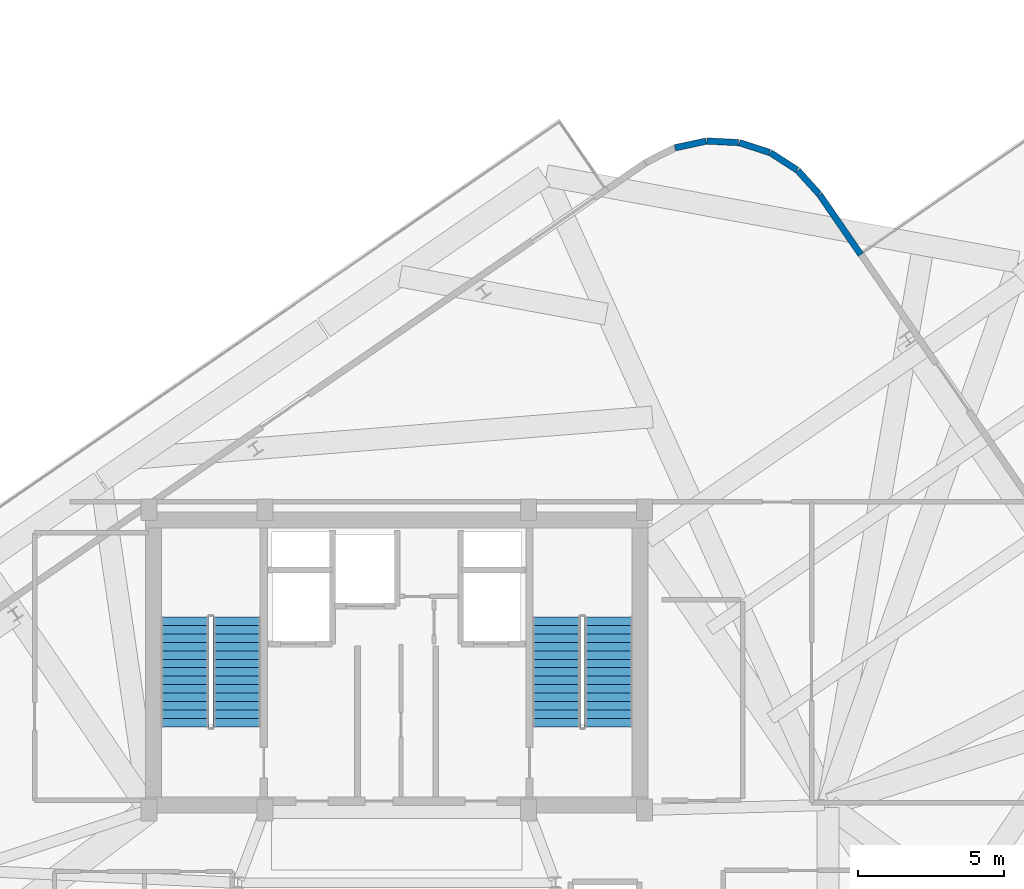
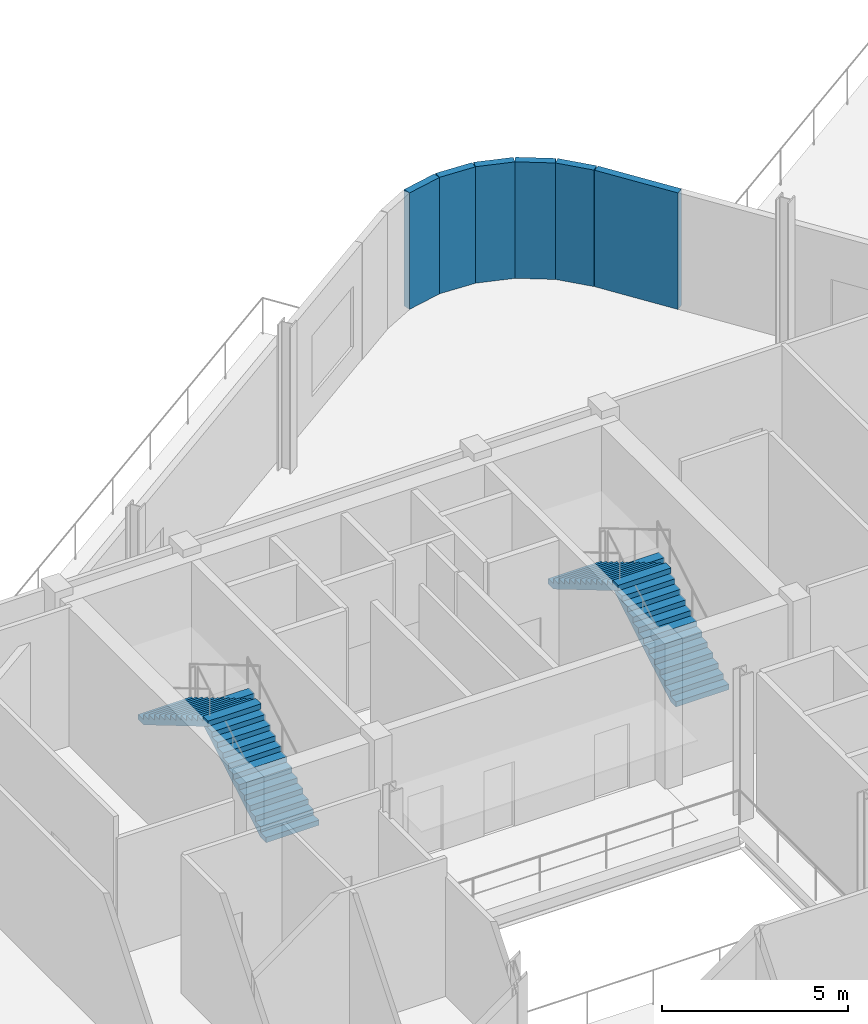
# One storey, part 13 of 18: 6 walls, 4 stair flights, 2 elements without a shape of their own.
"""IFC4 building model written with IfcOpenShell, lengths in metres."""

from ifc_helpers import new_model, si_unit, direction, frame, frame_2d, origin, place, context, subcontext, project, spatial, polyline, rectangle, outline, extrude, material, layer, layer_set, type_object, element, aggregate, save


model = new_model("IFC4")

# Units and contexts
model_context = context("Model", 3, precision=1e-05, world=origin(), true_north=direction((0.0, 1.0)))
body_context = subcontext(model_context, "Body", "Model", "MODEL_VIEW")
ifc_project = project(units=[si_unit("LENGTHUNIT", "METRE"), si_unit("AREAUNIT", "SQUARE_METRE"), si_unit("VOLUMEUNIT", "CUBIC_METRE"), si_unit("PLANEANGLEUNIT", "RADIAN"), si_unit("MASSUNIT", "GRAM", prefix="KILO")], contexts=[model_context])

# Site, building, storey
site_placement = place(None, origin())
site = spatial("IfcSite", under=ifc_project, at=site_placement, CompositionType="ELEMENT")
building_placement = place(site_placement, origin())
building = spatial("IfcBuilding", under=site, at=building_placement, Name="Varnelok Gate Tower", CompositionType="ELEMENT")
storey_placement = place(building_placement, frame((0.0, 0.0, 296.300048828125)))
storey = spatial("IfcBuildingStorey", under=building, at=storey_placement, Name="L76", CompositionType="ELEMENT", Elevation=296.300048828125)

# Walls
ifc_material_1 = material(Name="Concrete C45/55", Category="concrete")
ifc_layer = layer(ifc_material_1, 0.219970703125)
ifc_layer_set = layer_set([ifc_layer], Name="Concrete C45/55")
wall_type = type_object("IfcWallType", Name="EW-BALC-220", PredefinedType="SOLIDWALL", material=ifc_layer_set)
wall_1_placement = place(storey_placement, frame((55.123779296875, 47.804443359375, 0.0), z_axis=(0.0, 0.0, 1.0), x_axis=(-0.567206317648, 0.823575736177, 0.0)))
element("IfcWall", 1, at=wall_1_placement, inside=storey, type_object=wall_type, Name="L76 Perimeter Facade Closure Wall 16", PredefinedType="SOLIDWALL", context=body_context, shape_type="SweptSolid", body=[
    extrude(rectangle(XDim=2.4921875, YDim=0.219970703125, at=frame_2d((1.24609375, 0.0))), origin(), (0.0, 0.0, 1.0), 3.829833984375),
])
wall_2_placement = place(storey_placement, frame((53.693603515625, 49.87548828125, 0.0), z_axis=(0.0, 0.0, 1.0), x_axis=(-0.669883955163, 0.742465815116, 0.0)))
element("IfcWall", 2, at=wall_2_placement, inside=storey, type_object=wall_type, Name="L76 Perimeter Facade Closure Wall 17", PredefinedType="SOLIDWALL", context=body_context, shape_type="SweptSolid", body=[
    extrude(rectangle(XDim=1.099853515625, YDim=0.219970703125, at=frame_2d((0.5498046875, 0.0))), origin(), (0.0, 0.0, 1.0), 3.829833984375),
])
for number, where, z_axis, x_axis, name in (
    (3, (52.935791015625, 50.705810546875, 0.0), (0.0, 0.0, 1.0), (-0.839270122405, 0.543714687717, 0.0), "L76 Perimeter Facade Closure Wall 18"),
    (4, (51.995361328125, 51.30712890625, 0.0), (0.0, 0.0, 1.0), (-0.951353957903, 0.308100059692, 0.0), "L76 Perimeter Facade Closure Wall 19"),
    (5, (50.931396484375, 51.64501953125, 0.0), (0.0, 0.0, 1.0), (-0.998699949438, 0.050974611254, 0.0), "L76 Perimeter Facade Closure Wall 20"),
    (6, (49.81640625, 51.695556640625, 0.0), (0.0, 0.0, 1.0), (-0.977906989468, -0.209040474429, 0.0), "L76 Perimeter Facade Closure Wall 21"),
):
    element("IfcWall", number, at=place(storey_placement, frame(where, z_axis=z_axis, x_axis=x_axis)), inside=storey, type_object=wall_type, Name=name, PredefinedType="SOLIDWALL", context=body_context, shape_type="SweptSolid", body=[
        extrude(rectangle(XDim=1.092041015625, YDim=0.219970703125, at=frame_2d((0.5458984375, 0.0))), origin(), (0.0, 0.0, 1.0), 3.829833984375),
    ])

# Stair, stair flights
ifc_material_2 = material(Name="Concrete C50/60", Category="concrete")
stair_type = type_object("IfcStairType", Name="STR-CORE-1650", PredefinedType="HALF_TURN_STAIR", material=ifc_material_2)
stair_1_placement = place(storey_placement, origin())
stair_1 = element("IfcStair", 7, at=stair_1_placement, inside=storey, type_object=stair_type, Name="L76 Exit Stair ST-1", PredefinedType="HALF_TURN_STAIR")
stair_flight_type = type_object("IfcStairFlightType", Name="SFL-CORE-1650", PredefinedType="STRAIGHT", material=ifc_material_2)
stair_flight_1_placement = place(storey_placement, frame((33.72509765625, 31.60009765625, 0.0), z_axis=(0.0, 0.0, 1.0), x_axis=(0.0, 1.0, 0.0)))
stair_flight_1 = element("IfcStairFlight", 8, at=stair_flight_1_placement, type_object=stair_flight_type, Name="ST-1 flight 1", NumberOfRisers=14, NumberOfTreads=13, PredefinedType="STRAIGHT", RiserHeight=0.171428571, TreadLength=0.29, context=body_context, shape_type="SweptSolid", body=[
    extrude(outline(polyline([(0.0, 0.0), (0.0, 0.17138671875), (0.2900390625, 0.17138671875), (0.2900390625, 0.3427734375), (0.580078125, 0.3427734375), (0.580078125, 0.514404296875), (0.8701171875, 0.514404296875), (0.8701171875, 0.685791015625), (1.159912109375, 0.685791015625), (1.159912109375, 0.857177734375), (1.449951171875, 0.857177734375), (1.449951171875, 1.028564453125), (1.739990234375, 1.028564453125), (1.739990234375, 1.199951171875), (2.030029296875, 1.199951171875), (2.030029296875, 1.371337890625), (2.320068359375, 1.371337890625), (2.320068359375, 1.54296875), (2.610107421875, 1.54296875), (2.610107421875, 1.71435546875), (2.89990234375, 1.71435546875), (2.89990234375, 1.8857421875), (3.18994140625, 1.8857421875), (3.18994140625, 2.05712890625), (3.47998046875, 2.05712890625), (3.47998046875, 2.228515625), (3.77001953125, 2.228515625), (3.77001953125, 2.39990234375), (3.77001953125, 2.054443359375), (0.294677734375, 0.0), (0.0, 0.0)])), frame((0.0, 0.824951171875, 0.0), z_axis=(0.0, -1.0, 0.0), x_axis=(1.0, 0.0, 0.0)), (0.0, 0.0, 1.0), 1.64990234375),
])
stair_flight_2_placement = place(storey_placement, frame((31.925048828125, 35.3701171875, 2.39990234375), z_axis=(0.0, 0.0, 1.0), x_axis=(0.0, -1.0, 0.0)))
stair_flight_2 = element("IfcStairFlight", 9, at=stair_flight_2_placement, type_object=stair_flight_type, Name="ST-1 flight 2", NumberOfRisers=14, NumberOfTreads=13, PredefinedType="STRAIGHT", RiserHeight=0.171428571, TreadLength=0.29, context=body_context, shape_type="SweptSolid", body=[
    extrude(outline(polyline([(0.0, 0.0), (0.0, 0.17138671875), (0.2900390625, 0.17138671875), (0.2900390625, 0.3427734375), (0.580078125, 0.3427734375), (0.580078125, 0.514404296875), (0.8701171875, 0.514404296875), (0.8701171875, 0.685791015625), (1.159912109375, 0.685791015625), (1.159912109375, 0.857177734375), (1.449951171875, 0.857177734375), (1.449951171875, 1.028564453125), (1.739990234375, 1.028564453125), (1.739990234375, 1.199951171875), (2.030029296875, 1.199951171875), (2.030029296875, 1.371337890625), (2.320068359375, 1.371337890625), (2.320068359375, 1.54296875), (2.610107421875, 1.54296875), (2.610107421875, 1.71435546875), (2.89990234375, 1.71435546875), (2.89990234375, 1.8857421875), (3.18994140625, 1.8857421875), (3.18994140625, 2.05712890625), (3.47998046875, 2.05712890625), (3.47998046875, 2.228515625), (3.77001953125, 2.228515625), (3.77001953125, 2.39990234375), (3.77001953125, 2.054443359375), (0.294677734375, 0.0), (0.0, 0.0)])), frame((0.0, 0.824951171875, 0.0), z_axis=(0.0, -1.0, 0.0), x_axis=(1.0, 0.0, 0.0)), (0.0, 0.0, 1.0), 1.64990234375),
])
aggregate(stair_1, [stair_flight_1, stair_flight_2])

stair_2_placement = place(storey_placement, origin())
stair_2 = element("IfcStair", 10, at=stair_2_placement, inside=storey, type_object=stair_type, Name="L76 Exit Stair ST-2", PredefinedType="HALF_TURN_STAIR")
stair_flight_3_placement = place(storey_placement, frame((46.47509765625, 31.60009765625, 0.0), z_axis=(0.0, 0.0, 1.0), x_axis=(0.0, 1.0, 0.0)))
stair_flight_3 = element("IfcStairFlight", 11, at=stair_flight_3_placement, type_object=stair_flight_type, Name="ST-2 flight 1", NumberOfRisers=14, NumberOfTreads=13, PredefinedType="STRAIGHT", RiserHeight=0.171428571, TreadLength=0.29, context=body_context, shape_type="SweptSolid", body=[
    extrude(outline(polyline([(0.0, 0.0), (0.0, 0.17138671875), (0.2900390625, 0.17138671875), (0.2900390625, 0.3427734375), (0.580078125, 0.3427734375), (0.580078125, 0.514404296875), (0.8701171875, 0.514404296875), (0.8701171875, 0.685791015625), (1.159912109375, 0.685791015625), (1.159912109375, 0.857177734375), (1.449951171875, 0.857177734375), (1.449951171875, 1.028564453125), (1.739990234375, 1.028564453125), (1.739990234375, 1.199951171875), (2.030029296875, 1.199951171875), (2.030029296875, 1.371337890625), (2.320068359375, 1.371337890625), (2.320068359375, 1.54296875), (2.610107421875, 1.54296875), (2.610107421875, 1.71435546875), (2.89990234375, 1.71435546875), (2.89990234375, 1.8857421875), (3.18994140625, 1.8857421875), (3.18994140625, 2.05712890625), (3.47998046875, 2.05712890625), (3.47998046875, 2.228515625), (3.77001953125, 2.228515625), (3.77001953125, 2.39990234375), (3.77001953125, 2.054443359375), (0.294677734375, 0.0), (0.0, 0.0)])), frame((0.0, 0.824951171875, 0.0), z_axis=(0.0, -1.0, 0.0), x_axis=(1.0, 0.0, 0.0)), (0.0, 0.0, 1.0), 1.64990234375),
])
stair_flight_4_placement = place(storey_placement, frame((44.675048828125, 35.3701171875, 2.39990234375), z_axis=(0.0, 0.0, 1.0), x_axis=(0.0, -1.0, 0.0)))
stair_flight_4 = element("IfcStairFlight", 12, at=stair_flight_4_placement, type_object=stair_flight_type, Name="ST-2 flight 2", NumberOfRisers=14, NumberOfTreads=13, PredefinedType="STRAIGHT", RiserHeight=0.171428571, TreadLength=0.29, context=body_context, shape_type="SweptSolid", body=[
    extrude(outline(polyline([(0.0, 0.0), (0.0, 0.17138671875), (0.2900390625, 0.17138671875), (0.2900390625, 0.3427734375), (0.580078125, 0.3427734375), (0.580078125, 0.514404296875), (0.8701171875, 0.514404296875), (0.8701171875, 0.685791015625), (1.159912109375, 0.685791015625), (1.159912109375, 0.857177734375), (1.449951171875, 0.857177734375), (1.449951171875, 1.028564453125), (1.739990234375, 1.028564453125), (1.739990234375, 1.199951171875), (2.030029296875, 1.199951171875), (2.030029296875, 1.371337890625), (2.320068359375, 1.371337890625), (2.320068359375, 1.54296875), (2.610107421875, 1.54296875), (2.610107421875, 1.71435546875), (2.89990234375, 1.71435546875), (2.89990234375, 1.8857421875), (3.18994140625, 1.8857421875), (3.18994140625, 2.05712890625), (3.47998046875, 2.05712890625), (3.47998046875, 2.228515625), (3.77001953125, 2.228515625), (3.77001953125, 2.39990234375), (3.77001953125, 2.054443359375), (0.294677734375, 0.0), (0.0, 0.0)])), frame((0.0, 0.824951171875, 0.0), z_axis=(0.0, -1.0, 0.0), x_axis=(1.0, 0.0, 0.0)), (0.0, 0.0, 1.0), 1.64990234375),
])
aggregate(stair_2, [stair_flight_3, stair_flight_4])

save(model, "model.ifc")
